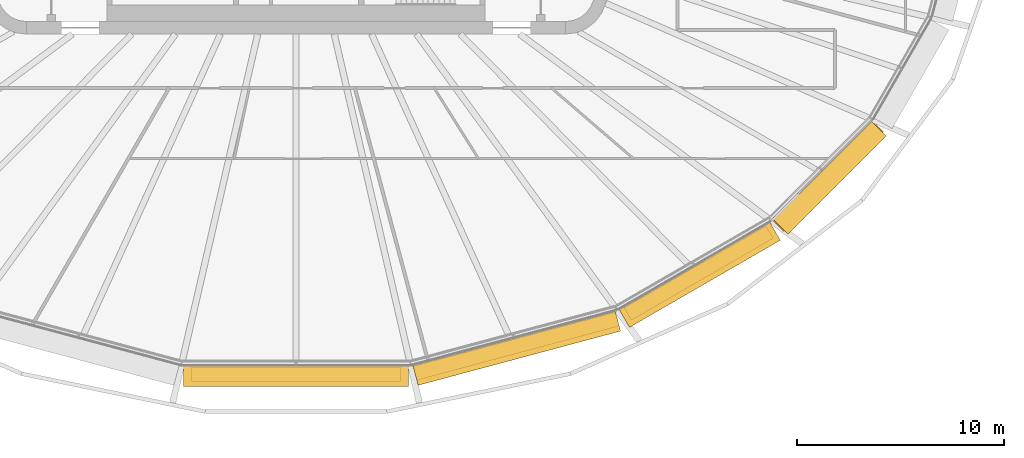
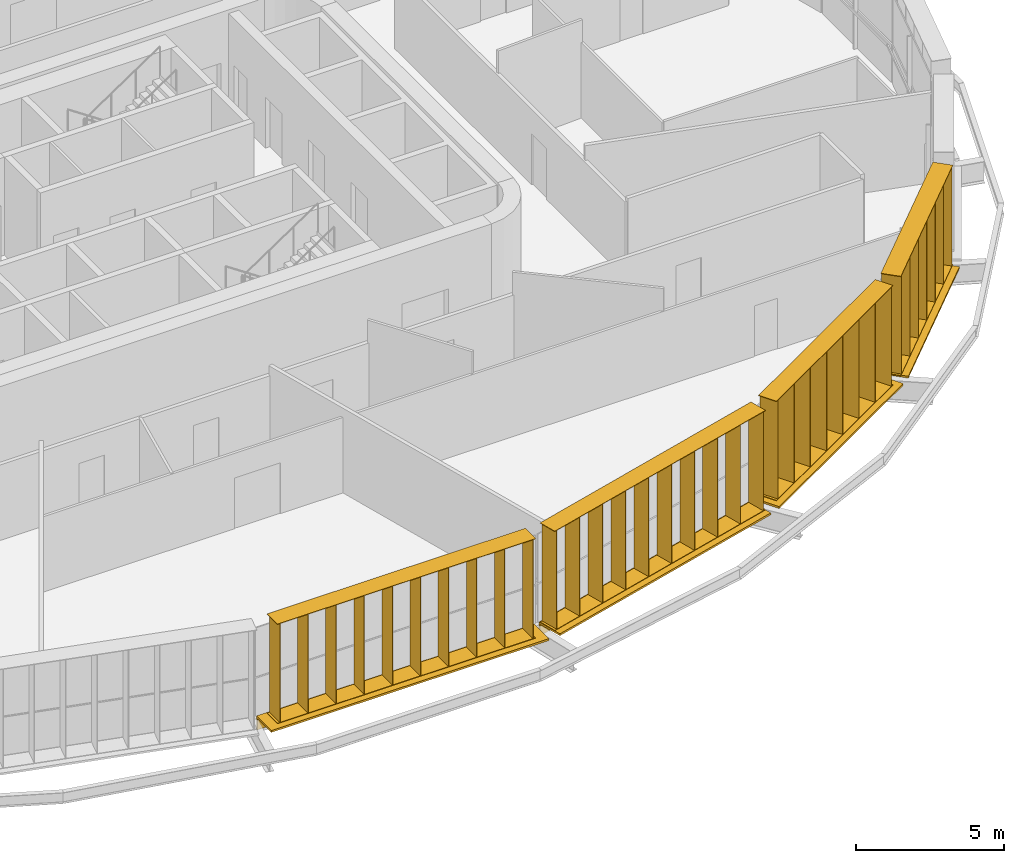
# One storey, part 22 of 25: 8 shading devices.
"""IFC4 building model written with IfcOpenShell, lengths in metres."""

from ifc_helpers import new_model, si_unit, direction, frame, origin, origin_2d, place, context, subcontext, project, spatial, rectangle, extrude, material, type_object, element, save


model = new_model("IFC4")

# Units and contexts
model_context = context("Model", 3, precision=1e-05, world=origin(), true_north=direction((0.0, 1.0)))
body_context = subcontext(model_context, "Body", "Model", "MODEL_VIEW")
ifc_project = project(units=[si_unit("LENGTHUNIT", "METRE"), si_unit("AREAUNIT", "SQUARE_METRE"), si_unit("VOLUMEUNIT", "CUBIC_METRE"), si_unit("PLANEANGLEUNIT", "RADIAN"), si_unit("MASSUNIT", "GRAM", prefix="KILO")], contexts=[model_context])

# Site, building, storey
site_placement = place(None, origin())
site = spatial("IfcSite", under=ifc_project, at=site_placement, CompositionType="ELEMENT")
building_placement = place(site_placement, origin())
building = spatial("IfcBuilding", under=site, at=building_placement, Name="Sahrelin Media Tower", CompositionType="ELEMENT")
storey_placement = place(building_placement, frame((0.0, 0.0, 106.199951171875)))
storey = spatial("IfcBuildingStorey", under=building, at=storey_placement, Name="L20", CompositionType="ELEMENT", Elevation=106.199951171875)

# Shading devices
ifc_material = material(Name="Champagne anodised aluminium 6063-T6", Category="aluminium")
shading_device_type_1 = type_object("IfcShadingDeviceType", Name="Fin cassette", PredefinedType="USERDEFINED", material=ifc_material)
placement_1 = place(storey_placement, frame((0.0, -23.97705078125, 0.0), z_axis=(0.0, 0.0, 1.0), x_axis=(-1.0, 0.0, 0.0)))
element("IfcShadingDevice", 1, at=placement_1, inside=storey, type_object=shading_device_type_1, Name="L20:FIN:L20-18", ObjectType="FIN", PredefinedType="USERDEFINED", context=body_context, shape_type="SweptSolid", body=[
    extrude(rectangle(XDim=10.10009765625, YDim=0.699951171875, at=origin_2d()), frame((0.0, 0.419921875, 0.0)), (0.0, 0.0, 1.0), 0.02001953125),
    extrude(rectangle(XDim=10.10009765625, YDim=0.699951171875, at=origin_2d()), frame((0.0, 0.419921875, 4.10009765625)), (0.0, 0.0, 1.0), 0.02001953125),
    extrude(rectangle(XDim=0.02001953125, YDim=0.699951171875, at=origin_2d()), frame((-4.949951171875, 0.419921875, 0.010009765625), z_axis=(0.0, 0.0, 1.0), x_axis=(1.0, 0.0, 0.0)), (0.0, 0.0, 1.0), 4.10009765625),
    extrude(rectangle(XDim=0.02001953125, YDim=0.699951171875, at=origin_2d()), frame((-3.85009765625, 0.419921875, 0.010009765625), z_axis=(0.0, 0.0, 1.0), x_axis=(1.0, 0.0, 0.0)), (0.0, 0.0, 1.0), 4.10009765625),
    extrude(rectangle(XDim=0.02001953125, YDim=0.699951171875, at=origin_2d()), frame((-2.75, 0.419921875, 0.010009765625), z_axis=(0.0, 0.0, 1.0), x_axis=(1.0, 0.0, 0.0)), (0.0, 0.0, 1.0), 4.10009765625),
    extrude(rectangle(XDim=0.02001953125, YDim=0.699951171875, at=origin_2d()), frame((-1.64990234375, 0.419921875, 0.010009765625), z_axis=(0.0, 0.0, 1.0), x_axis=(1.0, 0.0, 0.0)), (0.0, 0.0, 1.0), 4.10009765625),
    extrude(rectangle(XDim=0.02001953125, YDim=0.699951171875, at=origin_2d()), frame((-0.550048828125, 0.419921875, 0.010009765625), z_axis=(0.0, 0.0, 1.0), x_axis=(1.0, 0.0, 0.0)), (0.0, 0.0, 1.0), 4.10009765625),
    extrude(rectangle(XDim=0.02001953125, YDim=0.699951171875, at=origin_2d()), frame((0.550048828125, 0.419921875, 0.010009765625), z_axis=(0.0, 0.0, 1.0), x_axis=(1.0, 0.0, 0.0)), (0.0, 0.0, 1.0), 4.10009765625),
    extrude(rectangle(XDim=0.02001953125, YDim=0.699951171875, at=origin_2d()), frame((1.64990234375, 0.419921875, 0.010009765625), z_axis=(0.0, 0.0, 1.0), x_axis=(1.0, 0.0, 0.0)), (0.0, 0.0, 1.0), 4.10009765625),
    extrude(rectangle(XDim=0.02001953125, YDim=0.699951171875, at=origin_2d()), frame((2.75, 0.419921875, 0.010009765625), z_axis=(0.0, 0.0, 1.0), x_axis=(1.0, 0.0, 0.0)), (0.0, 0.0, 1.0), 4.10009765625),
    extrude(rectangle(XDim=0.02001953125, YDim=0.699951171875, at=origin_2d()), frame((3.85009765625, 0.419921875, 0.010009765625), z_axis=(0.0, 0.0, 1.0), x_axis=(1.0, 0.0, 0.0)), (0.0, 0.0, 1.0), 4.10009765625),
    extrude(rectangle(XDim=0.02001953125, YDim=0.699951171875, at=origin_2d()), frame((4.949951171875, 0.419921875, 0.010009765625), z_axis=(0.0, 0.0, 1.0), x_axis=(1.0, 0.0, 0.0)), (0.0, 0.0, 1.0), 4.10009765625),
])
placement_2 = place(storey_placement, frame((10.507080078125, -22.643798828125, 0.0), z_axis=(0.0, 0.0, 1.0), x_axis=(-0.965928857556, -0.258807731996, 0.0)))
element("IfcShadingDevice", 2, at=placement_2, inside=storey, type_object=shading_device_type_1, Name="L20:FIN:L20-19", ObjectType="FIN", PredefinedType="USERDEFINED", context=body_context, shape_type="SweptSolid", body=[
    extrude(rectangle(XDim=10.10009765625, YDim=0.699951171875, at=origin_2d()), frame((0.0, 0.419921875, 0.0)), (0.0, 0.0, 1.0), 0.02001953125),
    extrude(rectangle(XDim=10.10009765625, YDim=0.699951171875, at=origin_2d()), frame((0.0, 0.419921875, 4.10009765625)), (0.0, 0.0, 1.0), 0.02001953125),
    extrude(rectangle(XDim=0.02001953125, YDim=0.699951171875, at=origin_2d()), frame((-4.949951171875, 0.419921875, 0.010009765625), z_axis=(0.0, 0.0, 1.0), x_axis=(1.0, 0.0, 0.0)), (0.0, 0.0, 1.0), 4.10009765625),
    extrude(rectangle(XDim=0.02001953125, YDim=0.699951171875, at=origin_2d()), frame((-3.85009765625, 0.419921875, 0.010009765625), z_axis=(0.0, 0.0, 1.0), x_axis=(1.0, 0.0, 0.0)), (0.0, 0.0, 1.0), 4.10009765625),
    extrude(rectangle(XDim=0.02001953125, YDim=0.699951171875, at=origin_2d()), frame((-2.75, 0.419921875, 0.010009765625), z_axis=(0.0, 0.0, 1.0), x_axis=(1.0, 0.0, 0.0)), (0.0, 0.0, 1.0), 4.10009765625),
    extrude(rectangle(XDim=0.02001953125, YDim=0.699951171875, at=origin_2d()), frame((-1.64990234375, 0.419921875, 0.010009765625), z_axis=(0.0, 0.0, 1.0), x_axis=(1.0, 0.0, 0.0)), (0.0, 0.0, 1.0), 4.10009765625),
    extrude(rectangle(XDim=0.02001953125, YDim=0.699951171875, at=origin_2d()), frame((-0.550048828125, 0.419921875, 0.010009765625), z_axis=(0.0, 0.0, 1.0), x_axis=(1.0, 0.0, 0.0)), (0.0, 0.0, 1.0), 4.10009765625),
    extrude(rectangle(XDim=0.02001953125, YDim=0.699951171875, at=origin_2d()), frame((0.550048828125, 0.419921875, 0.010009765625), z_axis=(0.0, 0.0, 1.0), x_axis=(1.0, 0.0, 0.0)), (0.0, 0.0, 1.0), 4.10009765625),
    extrude(rectangle(XDim=0.02001953125, YDim=0.699951171875, at=origin_2d()), frame((1.64990234375, 0.419921875, 0.010009765625), z_axis=(0.0, 0.0, 1.0), x_axis=(1.0, 0.0, 0.0)), (0.0, 0.0, 1.0), 4.10009765625),
    extrude(rectangle(XDim=0.02001953125, YDim=0.699951171875, at=origin_2d()), frame((2.75, 0.419921875, 0.010009765625), z_axis=(0.0, 0.0, 1.0), x_axis=(1.0, 0.0, 0.0)), (0.0, 0.0, 1.0), 4.10009765625),
    extrude(rectangle(XDim=0.02001953125, YDim=0.699951171875, at=origin_2d()), frame((3.85009765625, 0.419921875, 0.010009765625), z_axis=(0.0, 0.0, 1.0), x_axis=(1.0, 0.0, 0.0)), (0.0, 0.0, 1.0), 4.10009765625),
    extrude(rectangle(XDim=0.02001953125, YDim=0.699951171875, at=origin_2d()), frame((4.949951171875, 0.419921875, 0.010009765625), z_axis=(0.0, 0.0, 1.0), x_axis=(1.0, 0.0, 0.0)), (0.0, 0.0, 1.0), 4.10009765625),
])
placement_3 = place(storey_placement, frame((19.20751953125, -19.160400390625, 0.0), z_axis=(0.0, 0.0, 1.0), x_axis=(-0.866019052629, -0.500011000363, 0.0)))
element("IfcShadingDevice", 3, at=placement_3, inside=storey, type_object=shading_device_type_1, Name="L20:FIN:L20-20", ObjectType="FIN", PredefinedType="USERDEFINED", context=body_context, shape_type="SweptSolid", body=[
    extrude(rectangle(XDim=7.89990234375, YDim=0.699951171875, at=origin_2d()), frame((0.0, 0.419921875, 0.0)), (0.0, 0.0, 1.0), 0.02001953125),
    extrude(rectangle(XDim=7.89990234375, YDim=0.699951171875, at=origin_2d()), frame((0.0, 0.419921875, 4.10009765625)), (0.0, 0.0, 1.0), 0.02001953125),
    extrude(rectangle(XDim=0.02001953125, YDim=0.699951171875, at=origin_2d()), frame((-3.85009765625, 0.419921875, 0.010009765625), z_axis=(0.0, 0.0, 1.0), x_axis=(1.0, 0.0, 0.0)), (0.0, 0.0, 1.0), 4.10009765625),
    extrude(rectangle(XDim=0.02001953125, YDim=0.699951171875, at=origin_2d()), frame((-2.75, 0.419921875, 0.010009765625), z_axis=(0.0, 0.0, 1.0), x_axis=(1.0, 0.0, 0.0)), (0.0, 0.0, 1.0), 4.10009765625),
    extrude(rectangle(XDim=0.02001953125, YDim=0.699951171875, at=origin_2d()), frame((-1.64990234375, 0.419921875, 0.010009765625), z_axis=(0.0, 0.0, 1.0), x_axis=(1.0, 0.0, 0.0)), (0.0, 0.0, 1.0), 4.10009765625),
    extrude(rectangle(XDim=0.02001953125, YDim=0.699951171875, at=origin_2d()), frame((-0.550048828125, 0.419921875, 0.010009765625), z_axis=(0.0, 0.0, 1.0), x_axis=(1.0, 0.0, 0.0)), (0.0, 0.0, 1.0), 4.10009765625),
    extrude(rectangle(XDim=0.02001953125, YDim=0.699951171875, at=origin_2d()), frame((0.550048828125, 0.419921875, 0.010009765625), z_axis=(0.0, 0.0, 1.0), x_axis=(1.0, 0.0, 0.0)), (0.0, 0.0, 1.0), 4.10009765625),
    extrude(rectangle(XDim=0.02001953125, YDim=0.699951171875, at=origin_2d()), frame((1.64990234375, 0.419921875, 0.010009765625), z_axis=(0.0, 0.0, 1.0), x_axis=(1.0, 0.0, 0.0)), (0.0, 0.0, 1.0), 4.10009765625),
    extrude(rectangle(XDim=0.02001953125, YDim=0.699951171875, at=origin_2d()), frame((2.75, 0.419921875, 0.010009765625), z_axis=(0.0, 0.0, 1.0), x_axis=(1.0, 0.0, 0.0)), (0.0, 0.0, 1.0), 4.10009765625),
    extrude(rectangle(XDim=0.02001953125, YDim=0.699951171875, at=origin_2d()), frame((3.85009765625, 0.419921875, 0.010009765625), z_axis=(0.0, 0.0, 1.0), x_axis=(1.0, 0.0, 0.0)), (0.0, 0.0, 1.0), 4.10009765625),
])
placement_4 = place(storey_placement, frame((25.371337890625, -14.5703125, 0.0), z_axis=(0.0, 0.0, 1.0), x_axis=(-0.707106781187, -0.707106781187, 0.0)))
element("IfcShadingDevice", 4, at=placement_4, inside=storey, type_object=shading_device_type_1, Name="L20:FIN:L20-21", ObjectType="FIN", PredefinedType="USERDEFINED", context=body_context, shape_type="SweptSolid", body=[
    extrude(rectangle(XDim=6.800048828125, YDim=0.699951171875, at=origin_2d()), frame((0.0, 0.419921875, 0.0)), (0.0, 0.0, 1.0), 0.02001953125),
    extrude(rectangle(XDim=6.800048828125, YDim=0.699951171875, at=origin_2d()), frame((0.0, 0.419921875, 4.10009765625)), (0.0, 0.0, 1.0), 0.02001953125),
    extrude(rectangle(XDim=0.02001953125, YDim=0.699951171875, at=origin_2d()), frame((-3.300048828125, 0.419921875, 0.010009765625), z_axis=(0.0, 0.0, 1.0), x_axis=(1.0, 0.0, 0.0)), (0.0, 0.0, 1.0), 4.10009765625),
    extrude(rectangle(XDim=0.02001953125, YDim=0.699951171875, at=origin_2d()), frame((-2.199951171875, 0.419921875, 0.010009765625), z_axis=(0.0, 0.0, 1.0), x_axis=(1.0, 0.0, 0.0)), (0.0, 0.0, 1.0), 4.10009765625),
    extrude(rectangle(XDim=0.02001953125, YDim=0.699951171875, at=origin_2d()), frame((-1.10009765625, 0.419921875, 0.010009765625), z_axis=(0.0, 0.0, 1.0), x_axis=(1.0, 0.0, 0.0)), (0.0, 0.0, 1.0), 4.10009765625),
    extrude(rectangle(XDim=0.02001953125, YDim=0.699951171875, at=origin_2d()), frame((0.0, 0.419921875, 0.010009765625), z_axis=(0.0, 0.0, 1.0), x_axis=(1.0, 0.0, 0.0)), (0.0, 0.0, 1.0), 4.10009765625),
    extrude(rectangle(XDim=0.02001953125, YDim=0.699951171875, at=origin_2d()), frame((1.10009765625, 0.419921875, 0.010009765625), z_axis=(0.0, 0.0, 1.0), x_axis=(1.0, 0.0, 0.0)), (0.0, 0.0, 1.0), 4.10009765625),
    extrude(rectangle(XDim=0.02001953125, YDim=0.699951171875, at=origin_2d()), frame((2.199951171875, 0.419921875, 0.010009765625), z_axis=(0.0, 0.0, 1.0), x_axis=(1.0, 0.0, 0.0)), (0.0, 0.0, 1.0), 4.10009765625),
    extrude(rectangle(XDim=0.02001953125, YDim=0.699951171875, at=origin_2d()), frame((3.300048828125, 0.419921875, 0.010009765625), z_axis=(0.0, 0.0, 1.0), x_axis=(1.0, 0.0, 0.0)), (0.0, 0.0, 1.0), 4.10009765625),
])
shading_device_type_2 = type_object("IfcShadingDeviceType", Name="Sunshade band", PredefinedType="USERDEFINED", material=ifc_material)
element("IfcShadingDevice", 5, at=placement_1, inside=storey, type_object=shading_device_type_2, Name="L20:SUN:L20-18", ObjectType="SUNSHADE", PredefinedType="USERDEFINED", context=body_context, shape_type="SweptSolid", body=[
    extrude(rectangle(XDim=10.86181640625, YDim=0.050048828125, at=origin_2d()), frame((0.0, 0.044921875, -0.55126953125)), (0.0, 0.0, 1.0), 0.471435546875),
    extrude(rectangle(XDim=10.86181640625, YDim=1.0, at=origin_2d()), frame((0.0, 0.52001953125, -0.080078125)), (0.0, 0.0, 1.0), 0.080078125),
    extrude(rectangle(XDim=0.10009765625, YDim=0.074951171875, at=origin_2d()), frame((-5.330810546875, -0.017578125, -0.47021484375)), (0.0, 0.0, 1.0), 0.300048828125),
    extrude(rectangle(XDim=0.10009765625, YDim=0.074951171875, at=origin_2d()), frame((-3.553955078125, -0.017578125, -0.47021484375)), (0.0, 0.0, 1.0), 0.300048828125),
    extrude(rectangle(XDim=0.10009765625, YDim=0.074951171875, at=origin_2d()), frame((-1.777099609375, -0.017578125, -0.47021484375)), (0.0, 0.0, 1.0), 0.300048828125),
    extrude(rectangle(XDim=0.10009765625, YDim=0.074951171875, at=origin_2d()), frame((0.0, -0.017578125, -0.47021484375)), (0.0, 0.0, 1.0), 0.300048828125),
    extrude(rectangle(XDim=0.10009765625, YDim=0.074951171875, at=origin_2d()), frame((1.777099609375, -0.017578125, -0.47021484375)), (0.0, 0.0, 1.0), 0.300048828125),
    extrude(rectangle(XDim=0.10009765625, YDim=0.074951171875, at=origin_2d()), frame((3.553955078125, -0.017578125, -0.47021484375)), (0.0, 0.0, 1.0), 0.300048828125),
    extrude(rectangle(XDim=0.10009765625, YDim=0.074951171875, at=origin_2d()), frame((5.330810546875, -0.017578125, -0.47021484375)), (0.0, 0.0, 1.0), 0.300048828125),
])
element("IfcShadingDevice", 6, at=placement_2, inside=storey, type_object=shading_device_type_2, Name="L20:SUN:L20-19", ObjectType="SUNSHADE", PredefinedType="USERDEFINED", context=body_context, shape_type="SweptSolid", body=[
    extrude(rectangle(XDim=10.103759765625, YDim=0.050048828125, at=origin_2d()), frame((0.0, 0.044921875, -0.55126953125)), (0.0, 0.0, 1.0), 0.471435546875),
    extrude(rectangle(XDim=10.103759765625, YDim=1.0, at=origin_2d()), frame((0.0, 0.52001953125, -0.080078125)), (0.0, 0.0, 1.0), 0.080078125),
    extrude(rectangle(XDim=0.10009765625, YDim=0.074951171875, at=origin_2d()), frame((-4.951904296875, -0.017578125, -0.47021484375)), (0.0, 0.0, 1.0), 0.300048828125),
    extrude(rectangle(XDim=0.10009765625, YDim=0.074951171875, at=origin_2d()), frame((-3.30126953125, -0.017578125, -0.47021484375)), (0.0, 0.0, 1.0), 0.300048828125),
    extrude(rectangle(XDim=0.10009765625, YDim=0.074951171875, at=origin_2d()), frame((-1.650634765625, -0.017578125, -0.47021484375)), (0.0, 0.0, 1.0), 0.300048828125),
    extrude(rectangle(XDim=0.10009765625, YDim=0.074951171875, at=origin_2d()), frame((0.0, -0.017578125, -0.47021484375)), (0.0, 0.0, 1.0), 0.300048828125),
    extrude(rectangle(XDim=0.10009765625, YDim=0.074951171875, at=origin_2d()), frame((1.650634765625, -0.017578125, -0.47021484375)), (0.0, 0.0, 1.0), 0.300048828125),
    extrude(rectangle(XDim=0.10009765625, YDim=0.074951171875, at=origin_2d()), frame((3.30126953125, -0.017578125, -0.47021484375)), (0.0, 0.0, 1.0), 0.300048828125),
    extrude(rectangle(XDim=0.10009765625, YDim=0.074951171875, at=origin_2d()), frame((4.951904296875, -0.017578125, -0.47021484375)), (0.0, 0.0, 1.0), 0.300048828125),
])
element("IfcShadingDevice", 7, at=placement_3, inside=storey, type_object=shading_device_type_2, Name="L20:SUN:L20-20", ObjectType="SUNSHADE", PredefinedType="USERDEFINED", context=body_context, shape_type="SweptSolid", body=[
    extrude(rectangle(XDim=8.39990234375, YDim=0.050048828125, at=origin_2d()), frame((0.0, 0.044921875, -0.55126953125)), (0.0, 0.0, 1.0), 0.471435546875),
    extrude(rectangle(XDim=8.39990234375, YDim=1.0, at=origin_2d()), frame((0.0, 0.52001953125, -0.080078125)), (0.0, 0.0, 1.0), 0.080078125),
    extrude(rectangle(XDim=0.10009765625, YDim=0.074951171875, at=origin_2d()), frame((-4.10009765625, -0.017578125, -0.47021484375)), (0.0, 0.0, 1.0), 0.300048828125),
    extrude(rectangle(XDim=0.10009765625, YDim=0.074951171875, at=origin_2d()), frame((-2.4599609375, -0.017578125, -0.47021484375)), (0.0, 0.0, 1.0), 0.300048828125),
    extrude(rectangle(XDim=0.10009765625, YDim=0.074951171875, at=origin_2d()), frame((-0.820068359375, -0.017578125, -0.47021484375)), (0.0, 0.0, 1.0), 0.300048828125),
    extrude(rectangle(XDim=0.10009765625, YDim=0.074951171875, at=origin_2d()), frame((0.820068359375, -0.017578125, -0.47021484375)), (0.0, 0.0, 1.0), 0.300048828125),
    extrude(rectangle(XDim=0.10009765625, YDim=0.074951171875, at=origin_2d()), frame((2.4599609375, -0.017578125, -0.47021484375)), (0.0, 0.0, 1.0), 0.300048828125),
    extrude(rectangle(XDim=0.10009765625, YDim=0.074951171875, at=origin_2d()), frame((4.10009765625, -0.017578125, -0.47021484375)), (0.0, 0.0, 1.0), 0.300048828125),
])
element("IfcShadingDevice", 8, at=placement_4, inside=storey, type_object=shading_device_type_2, Name="L20:SUN:L20-21", ObjectType="SUNSHADE", PredefinedType="USERDEFINED", context=body_context, shape_type="SweptSolid", body=[
    extrude(rectangle(XDim=6.701416015625, YDim=0.050048828125, at=origin_2d()), frame((0.0, 0.044921875, -0.55126953125)), (0.0, 0.0, 1.0), 0.471435546875),
    extrude(rectangle(XDim=6.701416015625, YDim=1.0, at=origin_2d()), frame((0.0, 0.52001953125, -0.080078125)), (0.0, 0.0, 1.0), 0.080078125),
    extrude(rectangle(XDim=0.10009765625, YDim=0.074951171875, at=origin_2d()), frame((-3.250732421875, -0.017578125, -0.47021484375)), (0.0, 0.0, 1.0), 0.300048828125),
    extrude(rectangle(XDim=0.10009765625, YDim=0.074951171875, at=origin_2d()), frame((-1.625244140625, -0.017578125, -0.47021484375)), (0.0, 0.0, 1.0), 0.300048828125),
    extrude(rectangle(XDim=0.10009765625, YDim=0.074951171875, at=origin_2d()), frame((0.0, -0.017578125, -0.47021484375)), (0.0, 0.0, 1.0), 0.300048828125),
    extrude(rectangle(XDim=0.10009765625, YDim=0.074951171875, at=origin_2d()), frame((1.625244140625, -0.017578125, -0.47021484375)), (0.0, 0.0, 1.0), 0.300048828125),
    extrude(rectangle(XDim=0.10009765625, YDim=0.074951171875, at=origin_2d()), frame((3.250732421875, -0.017578125, -0.47021484375)), (0.0, 0.0, 1.0), 0.300048828125),
])

save(model, "model.ifc")
